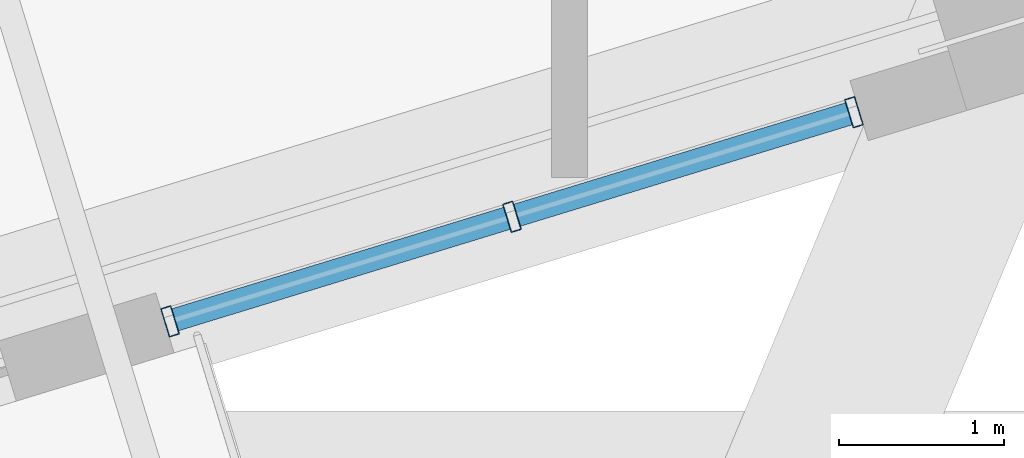
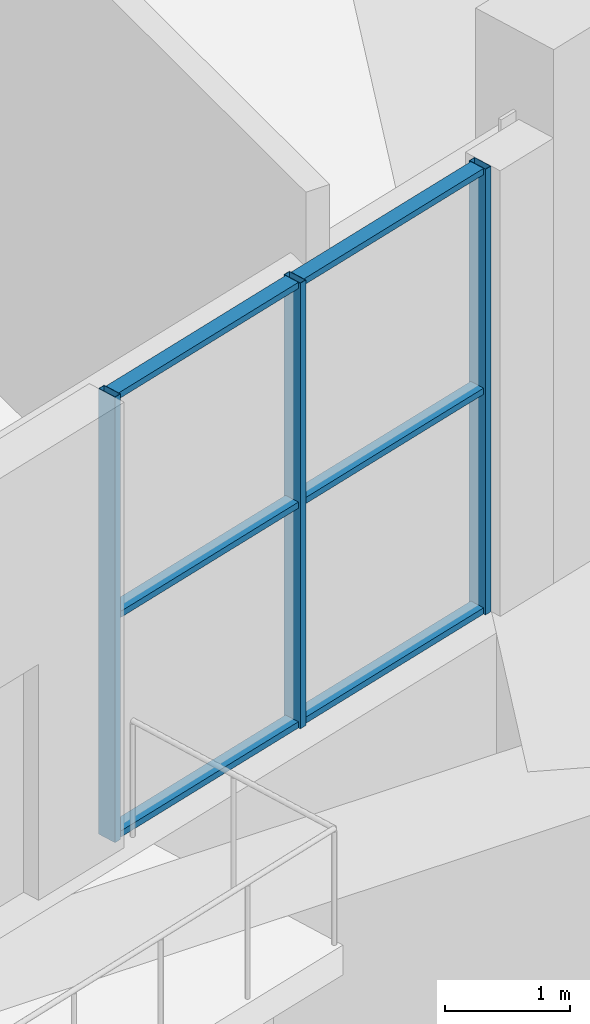
# One storey, part 5 of 22: 9 members, 1 element without a shape of its own.
"""IFC4 building model written with IfcOpenShell, lengths in metres."""

from ifc_helpers import new_model, si_unit, direction, frame, origin, origin_2d, place, context, subcontext, project, spatial, hollow_rectangle, extrude, source, transform, mapped, material, layer, layer_set, material_profile, profile_set, type_object, element, aggregate, save


model = new_model("IFC4")

# Units and contexts
model_context = context("Model", 3, precision=1e-05, world=origin(), true_north=direction((0.0, 1.0)))
body_context = subcontext(model_context, "Body", "Model", "MODEL_VIEW")
ifc_project = project(units=[si_unit("LENGTHUNIT", "METRE"), si_unit("AREAUNIT", "SQUARE_METRE"), si_unit("VOLUMEUNIT", "CUBIC_METRE"), si_unit("PLANEANGLEUNIT", "RADIAN"), si_unit("MASSUNIT", "GRAM", prefix="KILO"), si_unit("THERMODYNAMICTEMPERATUREUNIT", "KELVIN")], contexts=[model_context])

# Site, building, storey
site_placement = place(None, origin())
site = spatial("IfcSite", under=ifc_project, at=site_placement, CompositionType="ELEMENT")
building_placement = place(site_placement, origin())
building = spatial("IfcBuilding", under=site, at=building_placement, Name="Kosmvard Interchange Tower", CompositionType="ELEMENT")
storey_placement = place(building_placement, frame((0.0, 0.0, 78.0)))
storey = spatial("IfcBuildingStorey", under=building, at=storey_placement, Name="L18", CompositionType="ELEMENT", Elevation=78.0)

# Curtain wall, members
ifc_material = material(Name="Architectural anodised aluminium", Category="aluminium")
ifc_layer = layer(ifc_material, 0.179931640625, Name="Architectural anodised aluminium")
ifc_layer_set = layer_set([ifc_layer], Name="Architectural anodised aluminium")
curtain_wall_type = type_object("IfcCurtainWallType", Name="CW-3 Sky-Garden Vestibule Curtain Wall", PredefinedType="NOTDEFINED", material=ifc_layer_set)
curtain_wall_placement = place(storey_placement, origin())
curtain_wall = element("IfcCurtainWall", 1, at=curtain_wall_placement, inside=storey, type_object=curtain_wall_type, Name="L18 Sky-Garden Curtain Wall S", PredefinedType="NOTDEFINED")
ifc_material_profile_1 = material_profile(ifc_material, hollow_rectangle(XDim=0.179931640625, YDim=0.06494140625, WallThickness=0.00390625, at=origin_2d()), Name="CWM 180x65x4")
ifc_profile_set_1 = profile_set([ifc_material_profile_1], Name="Architectural anodised aluminium")
member_type_1 = type_object("IfcMemberType", Name="Sky-Garden CW Mullion 180x65 Aluminium", PredefinedType="MULLION", material=ifc_profile_set_1)
shared_shape_1 = source(origin(), body_context, "Body", "SweptSolid", [
    extrude(hollow_rectangle(XDim=0.179931640625, YDim=0.06494140625, WallThickness=0.00390625, at=origin_2d()), origin(), (0.0, 0.0, 1.0), 4.340087890625),
])
member_1_placement = place(storey_placement, frame((2.778564453125, -27.447021484375, 0.0), z_axis=(0.0, 0.0, 1.0), x_axis=(-0.292371803799, 0.956304725673, 0.0)))
member_1 = element("IfcMember", 2, at=member_1_placement, type_object=member_type_1, Name="CW-3 mullion 1", PredefinedType="MULLION", context=body_context, shape_type="MappedRepresentation", body=[
    mapped(shared_shape_1, transform((0.0, 0.0, 0.0), scale=1.0)),
])
member_2_placement = place(storey_placement, frame((4.851318359375, -26.813232421875, 0.0), z_axis=(0.0, 0.0, 1.0), x_axis=(-0.292371803799, 0.956304725673, 0.0)))
member_2 = element("IfcMember", 3, at=member_2_placement, type_object=member_type_1, Name="CW-3 mullion 2", PredefinedType="MULLION", context=body_context, shape_type="MappedRepresentation", body=[
    mapped(shared_shape_1, transform((0.0, 0.0, 0.0), scale=1.0)),
])
member_3_placement = place(storey_placement, frame((6.924072265625, -26.179443359375, 0.0), z_axis=(0.0, 0.0, 1.0), x_axis=(-0.292371803799, 0.956304725673, 0.0)))
member_3 = element("IfcMember", 4, at=member_3_placement, type_object=member_type_1, Name="CW-3 mullion 3", PredefinedType="MULLION", context=body_context, shape_type="MappedRepresentation", body=[
    mapped(shared_shape_1, transform((0.0, 0.0, 0.0), scale=1.0)),
])
ifc_material_profile_2 = material_profile(ifc_material, hollow_rectangle(XDim=0.139892578125, YDim=0.06005859375, WallThickness=0.00390625, at=origin_2d()), Name="CWT 140x60x4")
ifc_profile_set_2 = profile_set([ifc_material_profile_2], Name="Architectural anodised aluminium")
member_type_2 = type_object("IfcMemberType", Name="Sky-Garden CW Transom 140x60 Aluminium", PredefinedType="USERDEFINED", material=ifc_profile_set_2)
shared_shape_2 = source(origin(), body_context, "Body", "SweptSolid", [
    extrude(hollow_rectangle(XDim=0.139892578125, YDim=0.06005859375, WallThickness=0.00390625, at=origin_2d()), origin(), (0.0, 0.0, 1.0), 2.102294921875),
])
member_4_placement = place(storey_placement, frame((2.809814453125, -27.4375, 0.030029296875), z_axis=(0.956294760415, 0.292404396688, 0.0), x_axis=(-0.292404396688, 0.956294760415, 0.0)))
member_4 = element("IfcMember", 5, at=member_4_placement, type_object=member_type_2, Name="CW-3 transom 1.1", ObjectType="TRANSOM", PredefinedType="USERDEFINED", context=body_context, shape_type="MappedRepresentation", body=[
    mapped(shared_shape_2, transform((0.0, 0.0, 0.0), scale=1.0)),
])
member_5_placement = place(storey_placement, frame((2.809814453125, -27.4375, 2.169921875), z_axis=(0.956294760415, 0.292404396688, 0.0), x_axis=(-0.292404396688, 0.956294760415, 0.0)))
member_5 = element("IfcMember", 6, at=member_5_placement, type_object=member_type_2, Name="CW-3 transom 1.2", ObjectType="TRANSOM", PredefinedType="USERDEFINED", context=body_context, shape_type="MappedRepresentation", body=[
    mapped(shared_shape_2, transform((0.0, 0.0, 0.0), scale=1.0)),
])
member_6_placement = place(storey_placement, frame((2.809814453125, -27.4375, 4.31005859375), z_axis=(0.956294760415, 0.292404396688, 0.0), x_axis=(-0.292404396688, 0.956294760415, 0.0)))
member_6 = element("IfcMember", 7, at=member_6_placement, type_object=member_type_2, Name="CW-3 transom 1.3", ObjectType="TRANSOM", PredefinedType="USERDEFINED", context=body_context, shape_type="MappedRepresentation", body=[
    mapped(shared_shape_2, transform((0.0, 0.0, 0.0), scale=1.0)),
])
member_7_placement = place(storey_placement, frame((4.882568359375, -26.8037109375, 0.030029296875), z_axis=(0.956294760415, 0.292404396688, 0.0), x_axis=(-0.292404396688, 0.956294760415, 0.0)))
member_7 = element("IfcMember", 8, at=member_7_placement, type_object=member_type_2, Name="CW-3 transom 2.1", ObjectType="TRANSOM", PredefinedType="USERDEFINED", context=body_context, shape_type="MappedRepresentation", body=[
    mapped(shared_shape_2, transform((0.0, 0.0, 0.0), scale=1.0)),
])
member_8_placement = place(storey_placement, frame((4.882568359375, -26.8037109375, 2.169921875), z_axis=(0.956294760415, 0.292404396688, 0.0), x_axis=(-0.292404396688, 0.956294760415, 0.0)))
member_8 = element("IfcMember", 9, at=member_8_placement, type_object=member_type_2, Name="CW-3 transom 2.2", ObjectType="TRANSOM", PredefinedType="USERDEFINED", context=body_context, shape_type="MappedRepresentation", body=[
    mapped(shared_shape_2, transform((0.0, 0.0, 0.0), scale=1.0)),
])
member_9_placement = place(storey_placement, frame((4.882568359375, -26.8037109375, 4.31005859375), z_axis=(0.956294760415, 0.292404396688, 0.0), x_axis=(-0.292404396688, 0.956294760415, 0.0)))
member_9 = element("IfcMember", 10, at=member_9_placement, type_object=member_type_2, Name="CW-3 transom 2.3", ObjectType="TRANSOM", PredefinedType="USERDEFINED", context=body_context, shape_type="MappedRepresentation", body=[
    mapped(shared_shape_2, transform((0.0, 0.0, 0.0), scale=1.0)),
])
aggregate(curtain_wall, [member_1, member_2, member_3, member_4, member_5, member_6, member_7, member_8, member_9])

save(model, "model.ifc")
